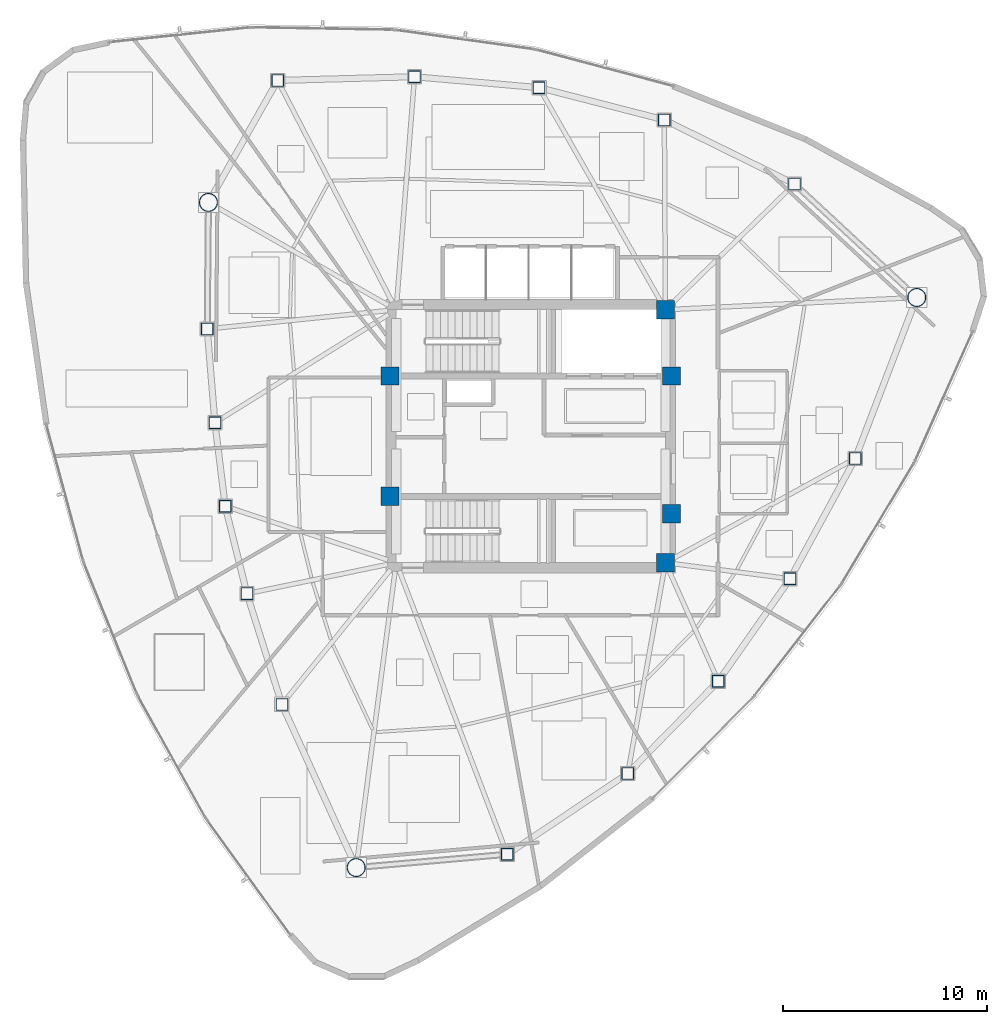
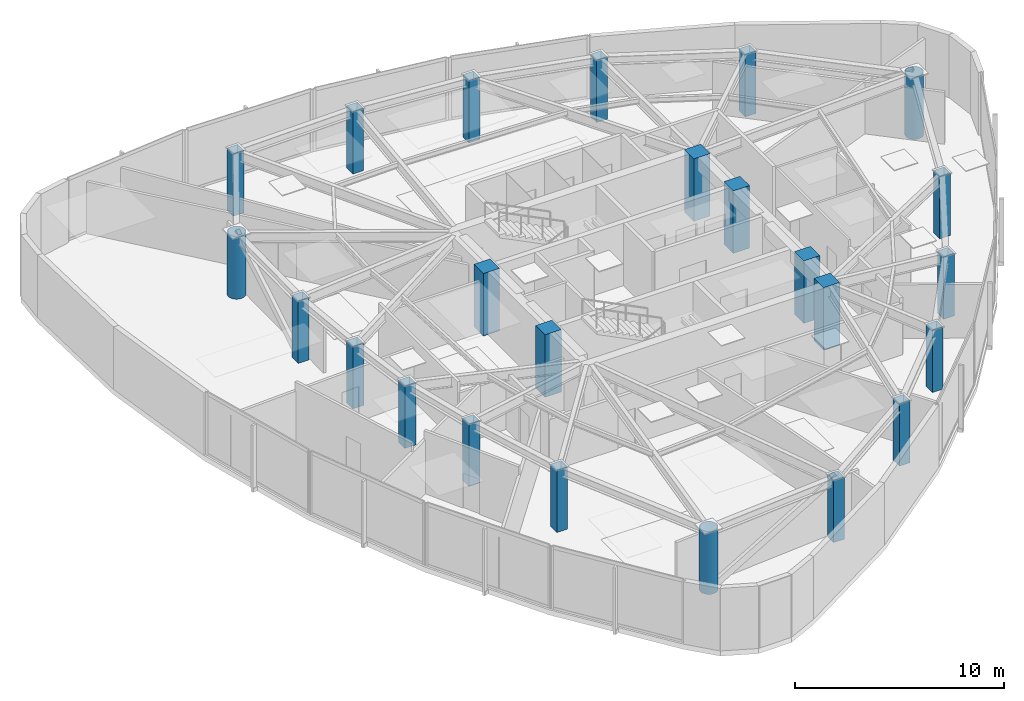
# One storey, part 1 of 13: 24 columns.
"""IFC4 building model written with IfcOpenShell, lengths in metres."""

import ifcopenshell
import ifcopenshell.guid

model = None  # the IFC model being written
_history = None  # IfcOwnerHistory: only IFC2X3 demands one
_inside = {}  # id of a spatial element -> (the spatial element, [elements in it])
_under = {}  # id of a project, library or spatial element -> (it, [spatial elements below it])
_declared = {}  # id of a project -> (the project, [libraries it declares])
_typed = {}  # id of a type object -> (the type object, [elements of that type])
_made_of = {}  # id of a material, layer set ... -> (it, [elements and type objects made of it])


def new_model(schema):
    """Start an empty IFC model of exactly this schema.

    Asked for "IFC4X3", IfcOpenShell would pick the latest addendum, in which some entities
    have other attributes; the version numbers below select the first issue.
    IFC2X3 requires an IfcOwnerHistory on every rooted entity: one is made here for all.
    """
    global model, _history
    if schema == "IFC4X3":
        model = ifcopenshell.file(schema_version=(4, 3, 0, 0))
    else:
        model = ifcopenshell.file(schema=schema)
    _inside.clear()
    _under.clear()
    _declared.clear()
    _typed.clear()
    _made_of.clear()
    _history = None
    if model.schema == "IFC2X3":
        org = make("IfcOrganization", Name="unknown")
        user = make(
            "IfcPersonAndOrganization",
            ThePerson=make("IfcPerson", FamilyName="unknown"),
            TheOrganization=org,
        )
        app = make(
            "IfcApplication",
            ApplicationDeveloper=org,
            Version="unknown",
            ApplicationFullName="unknown",
            ApplicationIdentifier="unknown",
        )
        _history = make(
            "IfcOwnerHistory",
            OwningUser=user,
            OwningApplication=app,
            ChangeAction="ADDED",
            CreationDate=0,
        )
    return model


def make(cls, **values):
    """One entity of the class cls with the attributes given. An attribute that is None is left unset."""
    return model.create_entity(
        cls, **{name: value for name, value in values.items() if value is not None}
    )


def rooted(cls, **values):
    """An entity with a GlobalId (a new one), such as an element, a storey or a relation."""
    return make(cls, GlobalId=ifcopenshell.guid.new(), OwnerHistory=_history, **values)


def si_unit(unit_type, name, prefix=None):
    """IfcSIUnit, for example si_unit("LENGTHUNIT", "METRE", prefix="MILLI")."""
    return make("IfcSIUnit", UnitType=unit_type, Prefix=prefix, Name=name)


def assignment(units):
    """IfcUnitAssignment: the units of a project."""
    return None if units is None else make("IfcUnitAssignment", Units=units)


def point(xyz):
    """IfcCartesianPoint."""
    return None if xyz is None else make("IfcCartesianPoint", Coordinates=xyz)


def direction(xyz):
    """IfcDirection."""
    return None if xyz is None else make("IfcDirection", DirectionRatios=xyz)


def frame(location, z_axis=None, x_axis=None):
    """IfcAxis2Placement3D, a coordinate frame: its origin and axes. An axis left out is left unset."""
    return make(
        "IfcAxis2Placement3D",
        Location=point(location),
        Axis=direction(z_axis),
        RefDirection=direction(x_axis),
    )


def frame_2d(location, x_axis=None):
    """IfcAxis2Placement2D, a coordinate frame in the plane: its origin and x axis."""
    return make(
        "IfcAxis2Placement2D", Location=point(location), RefDirection=direction(x_axis)
    )


def origin():
    """The frame at (0, 0, 0) with its axes left unset."""
    return frame((0.0, 0.0, 0.0))


def origin_2d():
    """The frame at (0, 0) in the plane with its x axis left unset."""
    return frame_2d((0.0, 0.0))


def place(relative_to, where):
    """IfcLocalPlacement: puts the frame where relative to a parent placement (None: the world)."""
    return make(
        "IfcLocalPlacement", PlacementRelTo=relative_to, RelativePlacement=where
    )


def context(
    kind, dimensions, precision=None, world=None, true_north=None, identifier=None
):
    """IfcGeometricRepresentationContext, for example the 3D "Model" context."""
    return make(
        "IfcGeometricRepresentationContext",
        ContextIdentifier=identifier,
        ContextType=kind,
        CoordinateSpaceDimension=dimensions,
        Precision=precision,
        WorldCoordinateSystem=world,
        TrueNorth=true_north,
    )


def subcontext(parent, identifier, kind, view, scale=None):
    """IfcGeometricRepresentationSubContext, for example "Body" below "Model"."""
    return make(
        "IfcGeometricRepresentationSubContext",
        ContextIdentifier=identifier,
        ContextType=kind,
        ParentContext=parent,
        TargetScale=scale,
        TargetView=view,
    )


def project(units=None, contexts=None):
    """IfcProject with its units and contexts."""
    return rooted(
        "IfcProject",
        Name="project",
        RepresentationContexts=contexts,
        UnitsInContext=assignment(units),
    )


def spatial(cls, under=None, at=None, **own):
    """A site, building, storey or space (cls), placed at a placement, below another one or the project."""
    s = rooted(cls, ObjectPlacement=at, **own)
    if under is not None:
        _under.setdefault(under.id(), (under, []))[1].append(s)
    return s


def profile(cls, at=None, kind="AREA", **sizes):
    """A parametric profile (cls). Its sizes go by their IFC names, for example OverallWidth=200.0."""
    return make(cls, ProfileType=kind, Position=at, **sizes)


def rectangle(**sizes):
    """IfcRectangleProfileDef."""
    return profile("IfcRectangleProfileDef", **sizes)


def hollow_rectangle(**sizes):
    """IfcRectangleHollowProfileDef."""
    return profile("IfcRectangleHollowProfileDef", **sizes)


def hollow_circle(**sizes):
    """IfcCircleHollowProfileDef."""
    return profile("IfcCircleHollowProfileDef", **sizes)


def extrude(swept, where, along, depth):
    """IfcExtrudedAreaSolid: the profile swept, set in the frame where, extruded along a direction by depth."""
    return make(
        "IfcExtrudedAreaSolid",
        SweptArea=swept,
        Position=where,
        ExtrudedDirection=direction(along),
        Depth=depth,
    )


def shape(context_of_items, identifier, shape_type, items):
    """IfcShapeRepresentation: the items that make up one representation, for example the "Body"."""
    return make(
        "IfcShapeRepresentation",
        ContextOfItems=context_of_items,
        RepresentationIdentifier=identifier,
        RepresentationType=shape_type,
        Items=items,
    )


def material(Name=None, Category=None):
    """IfcMaterial."""
    return make("IfcMaterial", Name=Name, Category=Category)


def material_profile(
    of_material, cross_section, Name=None, Category=None, Priority=None
):
    """IfcMaterialProfile: a cross section and its material."""
    return make(
        "IfcMaterialProfile",
        Name=Name,
        Material=of_material,
        Profile=cross_section,
        Priority=Priority,
        Category=Category,
    )


def profile_set(profiles, Name=None, composite=None):
    """IfcMaterialProfileSet."""
    return make(
        "IfcMaterialProfileSet",
        Name=Name,
        MaterialProfiles=profiles,
        CompositeProfile=composite,
    )


def made_of(thing, what):
    """Note that an element or type object is made of a material, layer set ...; save() writes the relation."""
    if what is not None:
        _made_of.setdefault(what.id(), (what, []))[1].append(thing)
    return thing


def type_object(cls, material=None, **own):
    """A type object (cls), such as IfcWallType, which elements share."""
    return made_of(rooted(cls, **own), material)


def element(
    cls,
    number,
    at=None,
    inside=None,
    cuts=None,
    type_object=None,
    material=None,
    context=None,
    identifier="Body",
    shape_type=None,
    held_by="IfcProductDefinitionShape",
    body=None,
    shapes=None,
    **own,
):
    """One element of the class cls, such as IfcWall. Its Tag is "e" and its number.

    at: its placement. inside: the storey or other place that contains it. cuts: it is an
    opening in that element (IfcRelVoidsElement). A single representation is given by context,
    identifier, shape_type and body (its items); several are given by shapes. held_by: the class
    of the entity that holds the representations. save() writes the other relations.
    """
    e = rooted(cls, Tag="e%d" % number, ObjectPlacement=at, **own)
    if body is not None:
        shapes = [shape(context, identifier, shape_type, body)]
    if shapes is not None:
        e.Representation = make(held_by, Representations=shapes)
    if inside is not None:
        _inside.setdefault(inside.id(), (inside, []))[1].append(e)
    if cuts is not None:
        rooted(
            "IfcRelVoidsElement", RelatingBuildingElement=cuts, RelatedOpeningElement=e
        )
    if type_object is not None:
        _typed.setdefault(type_object.id(), (type_object, []))[1].append(e)
    return made_of(e, material)


def aggregate(whole, parts):
    """IfcRelAggregates: a whole, such as a stair, and the parts it consists of."""
    return rooted("IfcRelAggregates", RelatingObject=whole, RelatedObjects=parts)


def save(model, path):
    """Write the relations noted so far, then the file.

    IfcRelAggregates (storeys below a building ...), IfcRelContainedInSpatialStructure (elements
    in a storey), IfcRelDefinesByType, IfcRelAssociatesMaterial and IfcRelDeclares: one each for
    every whole, place, type object, material and project.
    """
    for whole, parts in _under.values():
        aggregate(whole, parts)
    for where, things in _inside.values():
        rooted(
            "IfcRelContainedInSpatialStructure",
            RelatedElements=things,
            RelatingStructure=where,
        )
    for kind, things in _typed.values():
        rooted("IfcRelDefinesByType", RelatedObjects=things, RelatingType=kind)
    for what, things in _made_of.values():
        rooted("IfcRelAssociatesMaterial", RelatedObjects=things, RelatingMaterial=what)
    for by, libraries in _declared.values():
        rooted("IfcRelDeclares", RelatingContext=by, RelatedDefinitions=libraries)
    model.write(path)


model = new_model("IFC4")

# Units and contexts
model_context = context("Model", 3, precision=1e-05, world=origin(), true_north=direction((0.0, 1.0)))
body_context = subcontext(model_context, "Body", "Model", "MODEL_VIEW")
ifc_project = project(units=[si_unit("LENGTHUNIT", "METRE"), si_unit("AREAUNIT", "SQUARE_METRE"), si_unit("VOLUMEUNIT", "CUBIC_METRE"), si_unit("PLANEANGLEUNIT", "RADIAN"), si_unit("MASSUNIT", "GRAM", prefix="KILO")], contexts=[model_context])

# Site, building, storey
site_placement = place(None, origin())
site = spatial("IfcSite", under=ifc_project, at=site_placement, CompositionType="ELEMENT")
building_placement = place(site_placement, origin())
building = spatial("IfcBuilding", under=site, at=building_placement, Name="Tavelor Broadcast Tower", CompositionType="ELEMENT")
storey_placement = place(building_placement, frame((0.0, 0.0, 245.85009765625)))
storey = spatial("IfcBuildingStorey", under=building, at=storey_placement, Name="L58", CompositionType="ELEMENT", Elevation=245.85009765625)

# Columns
ifc_material_1 = material(Name="Concrete C50/60", Category="concrete")
ifc_material_profile_1 = material_profile(ifc_material_1, rectangle(XDim=0.89990234375, YDim=0.89990234375, at=origin_2d()), Name="RC 900x900")
ifc_profile_set_1 = profile_set([ifc_material_profile_1], Name="Concrete C50/60")
column_type_1 = type_object("IfcColumnType", Name="Core Embedded Composite Column RC900", PredefinedType="COLUMN", material=ifc_profile_set_1)
for number, where, z_axis, x_axis, name in (
    (1, (43.10009765625, 47.949951171875, 0.0), (0.0, 0.0, 1.0), (1.0, 0.0, 0.0), "L58 Core Embedded Column 1"),
    (2, (56.89990234375, 47.949951171875, 0.0), (0.0, 0.0, 1.0), (1.0, 0.0, 0.0), "L58 Core Embedded Column 2"),
    (3, (56.60009765625, 51.199951171875, 0.0), (0.0, 0.0, 1.0), (1.0, 0.0, 0.0), "L58 Core Embedded Column 3"),
    (4, (43.10009765625, 42.050048828125, 0.0), (0.0, 0.0, 1.0), (1.0, 0.0, 0.0), "L58 Core Embedded Column 4"),
    (5, (56.89990234375, 41.199951171875, 0.0), (0.0, 0.0, 1.0), (1.0, 0.0, 0.0), "L58 Core Embedded Column 5"),
    (6, (56.60009765625, 38.800048828125, 0.0), (0.0, 0.0, 1.0), (1.0, 0.0, 0.0), "L58 Core Embedded Column 6"),
):
    element("IfcColumn", number, at=place(storey_placement, frame(where, z_axis=z_axis, x_axis=x_axis)), inside=storey, type_object=column_type_1, Name=name, PredefinedType="COLUMN", context=body_context, shape_type="SweptSolid", body=[
        extrude(rectangle(XDim=0.89990234375, YDim=0.89990234375, at=origin_2d()), origin(), (0.0, 0.0, 1.0), 3.64990234375),
    ])
ifc_material_2 = material(Name="Steel S460", Category="steel")
ifc_material_profile_2 = material_profile(ifc_material_2, hollow_rectangle(XDim=0.60009765625, YDim=0.60009765625, WallThickness=0.035888671875, at=origin_2d()), Name="SHS 600x600x36")
ifc_profile_set_2 = profile_set([ifc_material_profile_2], Name="Steel S460")
column_type_2 = type_object("IfcColumnType", Name="Perimeter Tube Column T5 SHS 600x600x36", PredefinedType="COLUMN", material=ifc_profile_set_2)
for number, where, z_axis, x_axis, name in (
    (7, (34.13720703125, 50.255859375, 0.0), (0.0, 0.0, 1.0), (1.0, 0.0, 0.0), "L58 Perimeter Framed-Tube Column 02"),
    (8, (34.513671875, 45.66455078125, 0.0), (0.0, 0.0, 1.0), (1.0, 0.0, 0.0), "L58 Perimeter Framed-Tube Column 03"),
    (9, (35.018798828125, 41.56396484375, 0.0), (0.0, 0.0, 1.0), (1.0, 0.0, 0.0), "L58 Perimeter Framed-Tube Column 04"),
    (10, (36.08349609375, 37.2822265625, 0.0), (0.0, 0.0, 1.0), (1.0, 0.0, 0.0), "L58 Perimeter Framed-Tube Column 05"),
    (11, (37.797119140625, 31.853271484375, 0.0), (0.0, 0.0, 1.0), (1.0, 0.0, 0.0), "L58 Perimeter Framed-Tube Column 06"),
    (12, (48.843994140625, 24.5048828125, 0.0), (0.0, 0.0, 1.0), (1.0, 0.0, 0.0), "L58 Perimeter Framed-Tube Column 08"),
    (13, (54.754150390625, 28.461669921875, 0.0), (0.0, 0.0, 1.0), (1.0, 0.0, 0.0), "L58 Perimeter Framed-Tube Column 09"),
    (14, (59.1923828125, 32.987060546875, 0.0), (0.0, 0.0, 1.0), (1.0, 0.0, 0.0), "L58 Perimeter Framed-Tube Column 10"),
    (15, (62.7109375, 38.009033203125, 0.0), (0.0, 0.0, 1.0), (1.0, 0.0, 0.0), "L58 Perimeter Framed-Tube Column 11"),
    (16, (65.9072265625, 43.909423828125, 0.0), (0.0, 0.0, 1.0), (1.0, 0.0, 0.0), "L58 Perimeter Framed-Tube Column 12"),
    (17, (62.92724609375, 57.364013671875, 0.0), (0.0, 0.0, 1.0), (1.0, 0.0, 0.0), "L58 Perimeter Framed-Tube Column 14"),
    (18, (56.545654296875, 60.504150390625, 0.0), (0.0, 0.0, 1.0), (1.0, 0.0, 0.0), "L58 Perimeter Framed-Tube Column 15"),
    (19, (50.4072265625, 62.0849609375, 0.0), (0.0, 0.0, 1.0), (1.0, 0.0, 0.0), "L58 Perimeter Framed-Tube Column 16"),
    (20, (44.298828125, 62.621337890625, 0.0), (0.0, 0.0, 1.0), (1.0, 0.0, 0.0), "L58 Perimeter Framed-Tube Column 17"),
    (21, (37.5908203125, 62.439208984375, 0.0), (0.0, 0.0, 1.0), (1.0, 0.0, 0.0), "L58 Perimeter Framed-Tube Column 18"),
):
    element("IfcColumn", number, at=place(storey_placement, frame(where, z_axis=z_axis, x_axis=x_axis)), inside=storey, type_object=column_type_2, Name=name, PredefinedType="COLUMN", context=body_context, shape_type="SweptSolid", body=[
        extrude(hollow_rectangle(XDim=0.60009765625, YDim=0.60009765625, WallThickness=0.035888671875, at=origin_2d()), origin(), (0.0, 0.0, 1.0), 3.64990234375),
    ])
ifc_material_profile_3 = material_profile(ifc_material_2, hollow_circle(Radius=0.45703125, WallThickness=0.0400390625, at=origin_2d()), Name="CHS 914x40")
ifc_profile_set_3 = profile_set([ifc_material_profile_3], Name="Steel S460")
column_type_3 = type_object("IfcColumnType", Name="Tower Mega Column T5 CHS 914x40", PredefinedType="COLUMN", material=ifc_profile_set_3)
for number, where, z_axis, x_axis, name in (
    (22, (34.1962890625, 56.4599609375, 0.0), (0.0, 0.0, 1.0), (1.0, 0.0, 0.0), "L58 Tower Corner Mega Column 01"),
    (23, (41.440185546875, 23.853759765625, 0.0), (0.0, 0.0, 1.0), (1.0, 0.0, 0.0), "L58 Tower Corner Mega Column 07"),
    (24, (68.919677734375, 51.799072265625, 0.0), (0.0, 0.0, 1.0), (1.0, 0.0, 0.0), "L58 Tower Corner Mega Column 13"),
):
    element("IfcColumn", number, at=place(storey_placement, frame(where, z_axis=z_axis, x_axis=x_axis)), inside=storey, type_object=column_type_3, Name=name, PredefinedType="COLUMN", context=body_context, shape_type="SweptSolid", body=[
        extrude(hollow_circle(Radius=0.45703125, WallThickness=0.0400390625, at=origin_2d()), origin(), (0.0, 0.0, 1.0), 3.64990234375),
    ])

save(model, "model.ifc")
